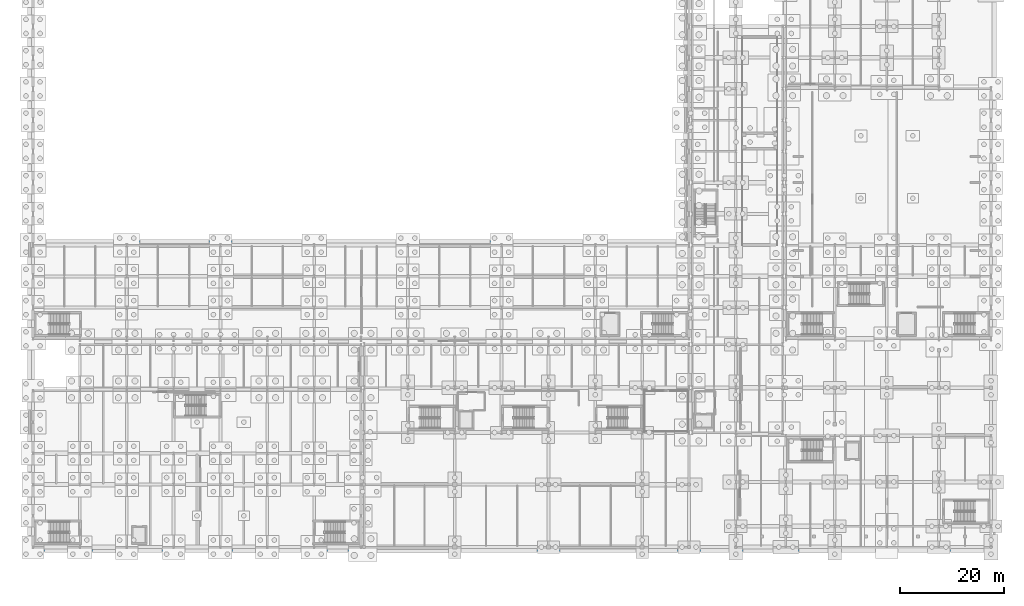
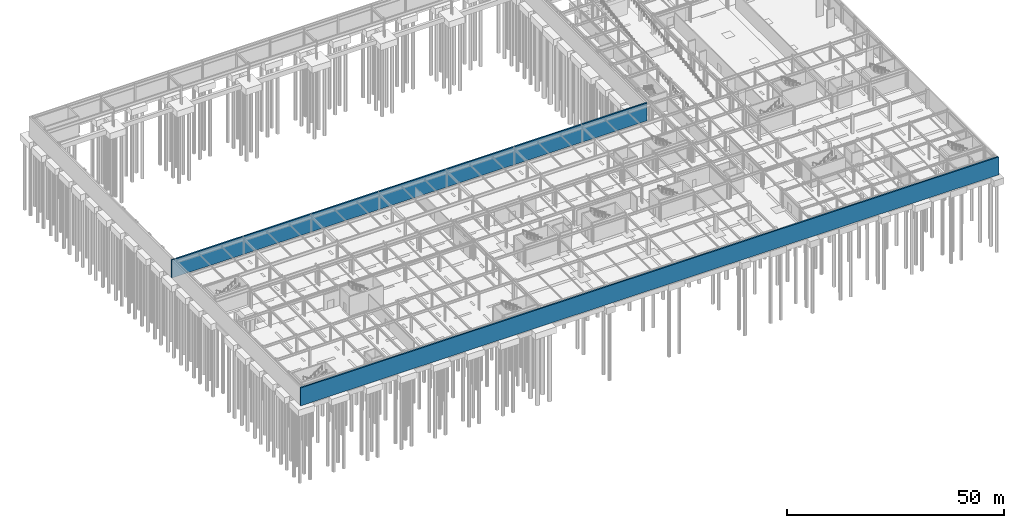
# One storey, part 43 of 65: 2 walls.
"""IFC4 building model written with IfcOpenShell, lengths in metres."""

import ifcopenshell
import ifcopenshell.guid

model = None  # the IFC model being written
_history = None  # IfcOwnerHistory: only IFC2X3 demands one
_inside = {}  # id of a spatial element -> (the spatial element, [elements in it])
_under = {}  # id of a project, library or spatial element -> (it, [spatial elements below it])
_declared = {}  # id of a project -> (the project, [libraries it declares])
_typed = {}  # id of a type object -> (the type object, [elements of that type])
_made_of = {}  # id of a material, layer set ... -> (it, [elements and type objects made of it])


def new_model(schema):
    """Start an empty IFC model of exactly this schema.

    Asked for "IFC4X3", IfcOpenShell would pick the latest addendum, in which some entities
    have other attributes; the version numbers below select the first issue.
    IFC2X3 requires an IfcOwnerHistory on every rooted entity: one is made here for all.
    """
    global model, _history
    if schema == "IFC4X3":
        model = ifcopenshell.file(schema_version=(4, 3, 0, 0))
    else:
        model = ifcopenshell.file(schema=schema)
    _inside.clear()
    _under.clear()
    _declared.clear()
    _typed.clear()
    _made_of.clear()
    _history = None
    if model.schema == "IFC2X3":
        org = make("IfcOrganization", Name="unknown")
        user = make(
            "IfcPersonAndOrganization",
            ThePerson=make("IfcPerson", FamilyName="unknown"),
            TheOrganization=org,
        )
        app = make(
            "IfcApplication",
            ApplicationDeveloper=org,
            Version="unknown",
            ApplicationFullName="unknown",
            ApplicationIdentifier="unknown",
        )
        _history = make(
            "IfcOwnerHistory",
            OwningUser=user,
            OwningApplication=app,
            ChangeAction="ADDED",
            CreationDate=0,
        )
    return model


def make(cls, **values):
    """One entity of the class cls with the attributes given. An attribute that is None is left unset."""
    return model.create_entity(
        cls, **{name: value for name, value in values.items() if value is not None}
    )


def rooted(cls, **values):
    """An entity with a GlobalId (a new one), such as an element, a storey or a relation."""
    return make(cls, GlobalId=ifcopenshell.guid.new(), OwnerHistory=_history, **values)


def si_unit(unit_type, name, prefix=None):
    """IfcSIUnit, for example si_unit("LENGTHUNIT", "METRE", prefix="MILLI")."""
    return make("IfcSIUnit", UnitType=unit_type, Prefix=prefix, Name=name)


def assignment(units):
    """IfcUnitAssignment: the units of a project."""
    return None if units is None else make("IfcUnitAssignment", Units=units)


def point(xyz):
    """IfcCartesianPoint."""
    return None if xyz is None else make("IfcCartesianPoint", Coordinates=xyz)


def direction(xyz):
    """IfcDirection."""
    return None if xyz is None else make("IfcDirection", DirectionRatios=xyz)


def frame(location, z_axis=None, x_axis=None):
    """IfcAxis2Placement3D, a coordinate frame: its origin and axes. An axis left out is left unset."""
    return make(
        "IfcAxis2Placement3D",
        Location=point(location),
        Axis=direction(z_axis),
        RefDirection=direction(x_axis),
    )


def frame_2d(location, x_axis=None):
    """IfcAxis2Placement2D, a coordinate frame in the plane: its origin and x axis."""
    return make(
        "IfcAxis2Placement2D", Location=point(location), RefDirection=direction(x_axis)
    )


def origin():
    """The frame at (0, 0, 0) with its axes left unset."""
    return frame((0.0, 0.0, 0.0))


def place(relative_to, where):
    """IfcLocalPlacement: puts the frame where relative to a parent placement (None: the world)."""
    return make(
        "IfcLocalPlacement", PlacementRelTo=relative_to, RelativePlacement=where
    )


def context(
    kind, dimensions, precision=None, world=None, true_north=None, identifier=None
):
    """IfcGeometricRepresentationContext, for example the 3D "Model" context."""
    return make(
        "IfcGeometricRepresentationContext",
        ContextIdentifier=identifier,
        ContextType=kind,
        CoordinateSpaceDimension=dimensions,
        Precision=precision,
        WorldCoordinateSystem=world,
        TrueNorth=true_north,
    )


def subcontext(parent, identifier, kind, view, scale=None):
    """IfcGeometricRepresentationSubContext, for example "Body" below "Model"."""
    return make(
        "IfcGeometricRepresentationSubContext",
        ContextIdentifier=identifier,
        ContextType=kind,
        ParentContext=parent,
        TargetScale=scale,
        TargetView=view,
    )


def project(units=None, contexts=None):
    """IfcProject with its units and contexts."""
    return rooted(
        "IfcProject",
        Name="project",
        RepresentationContexts=contexts,
        UnitsInContext=assignment(units),
    )


def spatial(cls, under=None, at=None, **own):
    """A site, building, storey or space (cls), placed at a placement, below another one or the project."""
    s = rooted(cls, ObjectPlacement=at, **own)
    if under is not None:
        _under.setdefault(under.id(), (under, []))[1].append(s)
    return s


def profile(cls, at=None, kind="AREA", **sizes):
    """A parametric profile (cls). Its sizes go by their IFC names, for example OverallWidth=200.0."""
    return make(cls, ProfileType=kind, Position=at, **sizes)


def rectangle(**sizes):
    """IfcRectangleProfileDef."""
    return profile("IfcRectangleProfileDef", **sizes)


def extrude(swept, where, along, depth):
    """IfcExtrudedAreaSolid: the profile swept, set in the frame where, extruded along a direction by depth."""
    return make(
        "IfcExtrudedAreaSolid",
        SweptArea=swept,
        Position=where,
        ExtrudedDirection=direction(along),
        Depth=depth,
    )


def shape(context_of_items, identifier, shape_type, items):
    """IfcShapeRepresentation: the items that make up one representation, for example the "Body"."""
    return make(
        "IfcShapeRepresentation",
        ContextOfItems=context_of_items,
        RepresentationIdentifier=identifier,
        RepresentationType=shape_type,
        Items=items,
    )


def material(Name=None, Category=None):
    """IfcMaterial."""
    return make("IfcMaterial", Name=Name, Category=Category)


def layer(
    of_material, thickness, ventilated=None, Name=None, Category=None, Priority=None
):
    """IfcMaterialLayer: one layer of a wall or slab, of a material (None: an air gap)."""
    return make(
        "IfcMaterialLayer",
        Material=of_material,
        LayerThickness=thickness,
        IsVentilated=ventilated,
        Name=Name,
        Category=Category,
        Priority=Priority,
    )


def layer_set(layers, Name=None):
    """IfcMaterialLayerSet."""
    return make("IfcMaterialLayerSet", MaterialLayers=layers, LayerSetName=Name)


def made_of(thing, what):
    """Note that an element or type object is made of a material, layer set ...; save() writes the relation."""
    if what is not None:
        _made_of.setdefault(what.id(), (what, []))[1].append(thing)
    return thing


def type_object(cls, material=None, **own):
    """A type object (cls), such as IfcWallType, which elements share."""
    return made_of(rooted(cls, **own), material)


def element(
    cls,
    number,
    at=None,
    inside=None,
    cuts=None,
    type_object=None,
    material=None,
    context=None,
    identifier="Body",
    shape_type=None,
    held_by="IfcProductDefinitionShape",
    body=None,
    shapes=None,
    **own,
):
    """One element of the class cls, such as IfcWall. Its Tag is "e" and its number.

    at: its placement. inside: the storey or other place that contains it. cuts: it is an
    opening in that element (IfcRelVoidsElement). A single representation is given by context,
    identifier, shape_type and body (its items); several are given by shapes. held_by: the class
    of the entity that holds the representations. save() writes the other relations.
    """
    e = rooted(cls, Tag="e%d" % number, ObjectPlacement=at, **own)
    if body is not None:
        shapes = [shape(context, identifier, shape_type, body)]
    if shapes is not None:
        e.Representation = make(held_by, Representations=shapes)
    if inside is not None:
        _inside.setdefault(inside.id(), (inside, []))[1].append(e)
    if cuts is not None:
        rooted(
            "IfcRelVoidsElement", RelatingBuildingElement=cuts, RelatedOpeningElement=e
        )
    if type_object is not None:
        _typed.setdefault(type_object.id(), (type_object, []))[1].append(e)
    return made_of(e, material)


def aggregate(whole, parts):
    """IfcRelAggregates: a whole, such as a stair, and the parts it consists of."""
    return rooted("IfcRelAggregates", RelatingObject=whole, RelatedObjects=parts)


def save(model, path):
    """Write the relations noted so far, then the file.

    IfcRelAggregates (storeys below a building ...), IfcRelContainedInSpatialStructure (elements
    in a storey), IfcRelDefinesByType, IfcRelAssociatesMaterial and IfcRelDeclares: one each for
    every whole, place, type object, material and project.
    """
    for whole, parts in _under.values():
        aggregate(whole, parts)
    for where, things in _inside.values():
        rooted(
            "IfcRelContainedInSpatialStructure",
            RelatedElements=things,
            RelatingStructure=where,
        )
    for kind, things in _typed.values():
        rooted("IfcRelDefinesByType", RelatedObjects=things, RelatingType=kind)
    for what, things in _made_of.values():
        rooted("IfcRelAssociatesMaterial", RelatedObjects=things, RelatingMaterial=what)
    for by, libraries in _declared.values():
        rooted("IfcRelDeclares", RelatingContext=by, RelatedDefinitions=libraries)
    model.write(path)


model = new_model("IFC4")

# Units and contexts
model_context = context("Model", 3, precision=1e-05, world=origin(), true_north=direction((0.0, 1.0)))
body_context = subcontext(model_context, "Body", "Model", "MODEL_VIEW")
ifc_project = project(units=[si_unit("LENGTHUNIT", "METRE"), si_unit("AREAUNIT", "SQUARE_METRE"), si_unit("VOLUMEUNIT", "CUBIC_METRE"), si_unit("PLANEANGLEUNIT", "RADIAN"), si_unit("MASSUNIT", "GRAM", prefix="KILO")], contexts=[model_context])

# Site, building, storey
site_placement = place(None, origin())
site = spatial("IfcSite", under=ifc_project, at=site_placement, CompositionType="ELEMENT")
building_placement = place(site_placement, origin())
building = spatial("IfcBuilding", under=site, at=building_placement, Name="Kaldris Quays Convention Centre", CompositionType="ELEMENT")
storey_placement = place(building_placement, frame((0.0, 0.0, -5.39990234375)))
storey = spatial("IfcBuildingStorey", under=building, at=storey_placement, Name="B1", CompositionType="ELEMENT", Elevation=-5.39990234375)

# Walls
ifc_material = material(Name="Concrete C35/45", Category="concrete")
ifc_layer = layer(ifc_material, 0.389892578125)
ifc_layer_set = layer_set([ifc_layer], Name="Concrete C35/45")
wall_type = type_object("IfcWallType", Name="STRUCTURAL WALL RW02", PredefinedType="SOLIDWALL", material=ifc_layer_set)
wall_1_placement = place(storey_placement, frame((19.155029296875, 74.64990234375, 0.0), z_axis=(0.0, 0.0, 1.0), x_axis=(1.0, 0.0, 0.0)))
element("IfcWall", 1, at=wall_1_placement, inside=storey, type_object=wall_type, Name="B1 Perimeter Retaining Wall RW02 2", PredefinedType="SOLIDWALL", context=body_context, shape_type="SweptSolid", body=[
    extrude(rectangle(XDim=126.389892578125, YDim=0.389892578125, at=frame_2d((63.19482421875, 0.0))), origin(), (0.0, 0.0, 1.0), 5.0478515625),
])
wall_2_placement = place(storey_placement, frame((204.844970703125, 15.35009765625, 0.0), z_axis=(0.0, 0.0, 1.0), x_axis=(-1.0, 0.0, 0.0)))
element("IfcWall", 2, at=wall_2_placement, inside=storey, type_object=wall_type, Name="B1 Perimeter Retaining Wall RW02 6", PredefinedType="SOLIDWALL", context=body_context, shape_type="SweptSolid", body=[
    extrude(rectangle(XDim=185.68994140625, YDim=0.389892578125, at=frame_2d((92.844970703125, 0.0))), origin(), (0.0, 0.0, 1.0), 5.0478515625),
])

save(model, "model.ifc")
